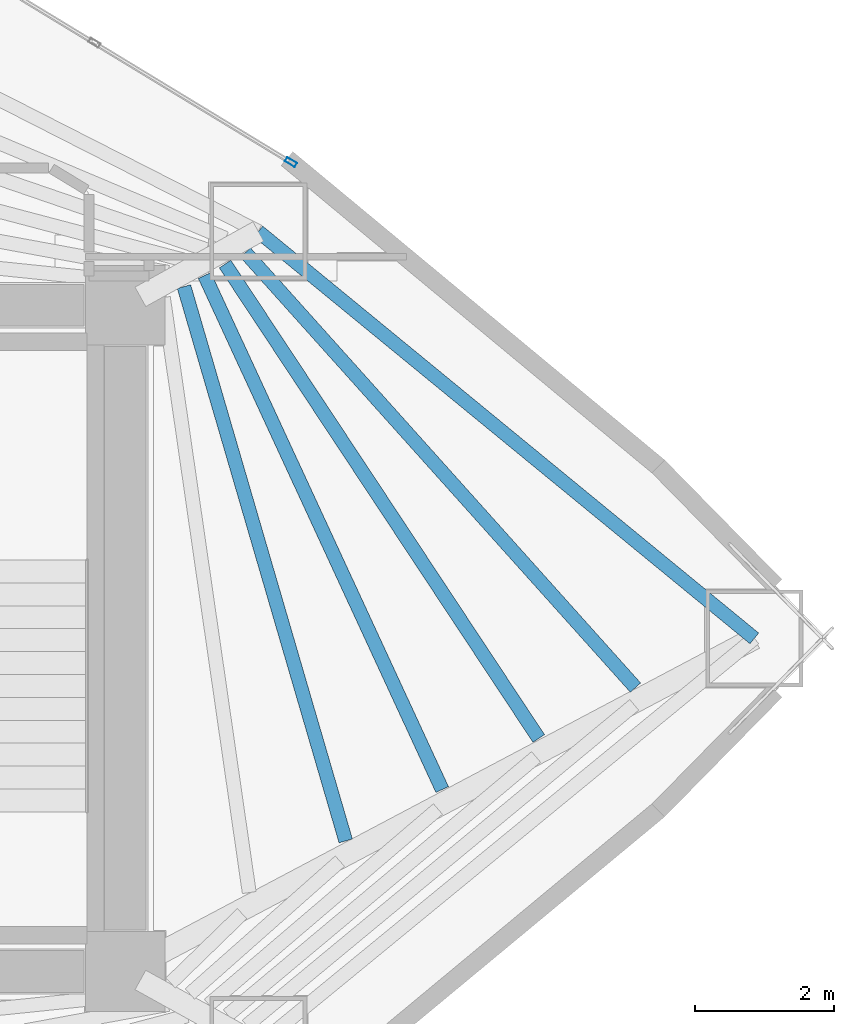
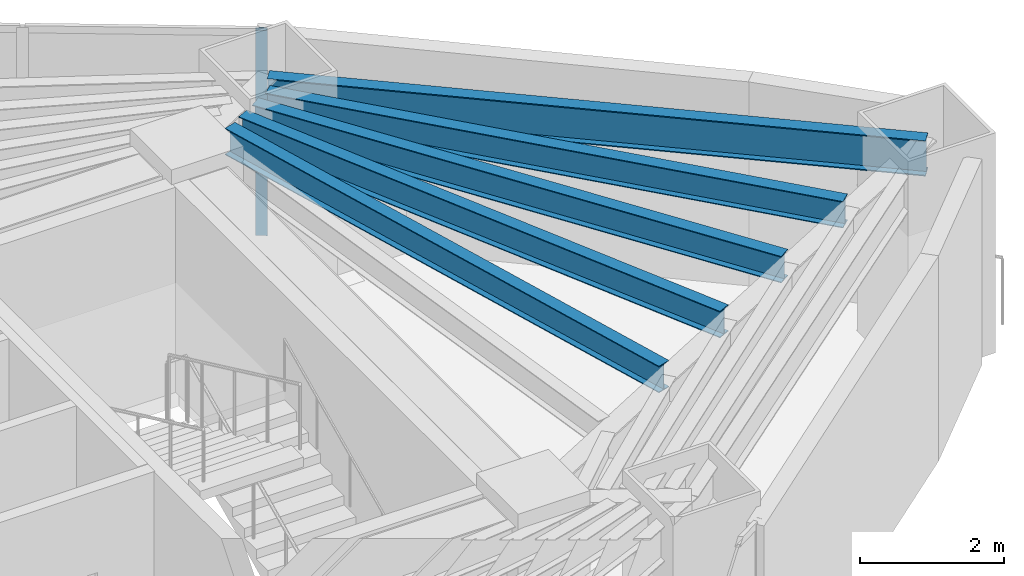
# One storey, part 11 of 17: 5 beams, 1 member, 1 element without a shape of its own.
"""IFC4 building model written with IfcOpenShell, lengths in metres."""

from ifc_helpers import new_model, si_unit, direction, frame, origin, origin_2d, place, context, subcontext, project, spatial, hollow_rectangle, i_section, extrude, material, layer, layer_set, material_profile, profile_set, type_object, element, aggregate, save


model = new_model("IFC4")

# Units and contexts
model_context = context("Model", 3, precision=1e-05, world=origin(), true_north=direction((0.0, 1.0)))
body_context = subcontext(model_context, "Body", "Model", "MODEL_VIEW")
ifc_project = project(units=[si_unit("LENGTHUNIT", "METRE"), si_unit("AREAUNIT", "SQUARE_METRE"), si_unit("VOLUMEUNIT", "CUBIC_METRE"), si_unit("PLANEANGLEUNIT", "RADIAN"), si_unit("MASSUNIT", "GRAM", prefix="KILO")], contexts=[model_context])

# Site, building, storey
site_placement = place(None, origin())
site = spatial("IfcSite", under=ifc_project, at=site_placement, CompositionType="ELEMENT")
building_placement = place(site_placement, origin())
building = spatial("IfcBuilding", under=site, at=building_placement, Name="Menara Vayukalpa", CompositionType="ELEMENT")
storey_placement = place(building_placement, frame((0.0, 0.0, 42.47998046875)))
storey = spatial("IfcBuildingStorey", under=building, at=storey_placement, Name="L09", CompositionType="ELEMENT", Elevation=42.47998046875)

# Beams
ifc_material_1 = material(Name="Steel S355", Category="steel")
ifc_material_profile_1 = material_profile(ifc_material_1, i_section(OverallWidth=0.199951171875, OverallDepth=0.449951171875, WebThickness=0.009033203125, FlangeThickness=0.013916015625, at=origin_2d()), Name="WF 450x200x9x14")
ifc_profile_set_1 = profile_set([ifc_material_profile_1], Name="Steel S355")
beam_type_1 = type_object("IfcBeamType", Name="BM-SJ1", PredefinedType="JOIST", material=ifc_profile_set_1)
beam_1_placement = place(storey_placement, frame((36.577392578125, 19.08203125, 3.2451171875), z_axis=(-0.280127331343, 0.959962852528, 0.0), x_axis=(-0.959962852528, -0.280127331343, 0.0)))
element("IfcBeam", 1, at=beam_1_placement, inside=storey, type_object=beam_type_1, Name="L09 Secondary Floor Joist SJ01-2", PredefinedType="JOIST", context=body_context, shape_type="SweptSolid", body=[
    extrude(i_section(OverallWidth=0.199951171875, OverallDepth=0.449951171875, WebThickness=0.009033203125, FlangeThickness=0.013916015625, at=origin_2d()), origin(), (0.0, 0.0, 1.0), 8.319580078125),
])
beam_2_placement = place(storey_placement, frame((37.96728515625, 19.822021484375, 3.2451171875), z_axis=(-0.419547647921, 0.907733314979, 0.0), x_axis=(-0.907733314979, -0.419547647921, 0.0)))
element("IfcBeam", 2, at=beam_2_placement, inside=storey, type_object=beam_type_1, Name="L09 Secondary Floor Joist SJ01-3", PredefinedType="JOIST", context=body_context, shape_type="SweptSolid", body=[
    extrude(i_section(OverallWidth=0.199951171875, OverallDepth=0.449951171875, WebThickness=0.009033203125, FlangeThickness=0.013916015625, at=origin_2d()), origin(), (0.0, 0.0, 1.0), 8.15966796875),
])
beam_3_placement = place(storey_placement, frame((39.358642578125, 20.557861328125, 3.2451171875), z_axis=(-0.551519467329, 0.834162020927, 0.0), x_axis=(-0.834162020927, -0.551519467329, 0.0)))
element("IfcBeam", 3, at=beam_3_placement, inside=storey, type_object=beam_type_1, Name="L09 Secondary Floor Joist SJ01-4", PredefinedType="JOIST", context=body_context, shape_type="SweptSolid", body=[
    extrude(i_section(OverallWidth=0.199951171875, OverallDepth=0.449951171875, WebThickness=0.009033203125, FlangeThickness=0.013916015625, at=origin_2d()), origin(), (0.0, 0.0, 1.0), 8.19384765625),
])
beam_4_placement = place(storey_placement, frame((40.752685546875, 21.291015625, 3.2451171875), z_axis=(-0.667563308959, 0.744553039435, 0.0), x_axis=(-0.744553039435, -0.667563308959, 0.0)))
element("IfcBeam", 4, at=beam_4_placement, inside=storey, type_object=beam_type_1, Name="L09 Secondary Floor Joist SJ01-5", PredefinedType="JOIST", context=body_context, shape_type="SweptSolid", body=[
    extrude(i_section(OverallWidth=0.199951171875, OverallDepth=0.449951171875, WebThickness=0.009033203125, FlangeThickness=0.013916015625, at=origin_2d()), origin(), (0.0, 0.0, 1.0), 8.419189453125),
])
ifc_material_2 = material(Name="Steel S355", Category="steel")
ifc_material_profile_2 = material_profile(ifc_material_2, i_section(OverallWidth=0.199951171875, OverallDepth=0.60009765625, WebThickness=0.010986328125, FlangeThickness=0.01708984375, at=origin_2d()), Name="WF 600x200x11x17")
ifc_profile_set_2 = profile_set([ifc_material_profile_2], Name="Steel S355")
beam_type_2 = type_object("IfcBeamType", Name="BM-SP1", PredefinedType="SPANDREL", material=ifc_profile_set_2)
beam_5_placement = place(storey_placement, frame((42.46484375, 22.0, 3.169921875), z_axis=(-0.773110561587, 0.63427128231, 0.0), x_axis=(-0.63427128231, -0.773110561587, 0.0)))
element("IfcBeam", 5, at=beam_5_placement, inside=storey, type_object=beam_type_2, Name="L09 Perimeter Spandrel Beam SP01", PredefinedType="SPANDREL", context=body_context, shape_type="SweptSolid", body=[
    extrude(i_section(OverallWidth=0.199951171875, OverallDepth=0.60009765625, WebThickness=0.010986328125, FlangeThickness=0.01708984375, at=origin_2d()), origin(), (0.0, 0.0, 1.0), 9.244140625),
])

# Curtain wall, member
ifc_material_3 = material(Name="Anodised Terracotta Aluminium Alloy 6063-T6", Category="masonry")
ifc_layer = layer(ifc_material_3, 0.1650390625)
ifc_layer_set = layer_set([ifc_layer], Name="Anodised Terracotta Aluminium Alloy 6063-T6")
curtain_wall_type = type_object("IfcCurtainWallType", Name="CW-CW2", PredefinedType="USERDEFINED", material=ifc_layer_set)
curtain_wall_placement = place(storey_placement, origin())
curtain_wall = element("IfcCurtainWall", 6, at=curtain_wall_placement, inside=storey, type_object=curtain_wall_type, Name="L09 Low Rise Terracotta Ribbon Curtain Wall CW2 04", ObjectType="UNITISED", PredefinedType="USERDEFINED")
ifc_material_4 = material(Name="Anodised Terracotta Aluminium Alloy 6063-T6", Category="masonry")
ifc_material_profile_3 = material_profile(ifc_material_4, hollow_rectangle(XDim=0.070068359375, YDim=0.1650390625, WallThickness=0.00390625, at=origin_2d()), Name="ALU 70x165x4")
ifc_profile_set_3 = profile_set([ifc_material_profile_3], Name="Anodised Terracotta Aluminium Alloy 6063-T6")
member_type = type_object("IfcMemberType", Name="CWM-CW2", PredefinedType="MULLION", material=ifc_profile_set_3)
member_placement = place(storey_placement, frame((35.787353515625, 28.861572265625, 0.0), z_axis=(0.0, 0.0, 1.0), x_axis=(-0.519181964377, -0.854663727945, 0.0)))
member = element("IfcMember", 7, at=member_placement, type_object=member_type, Name="CW2 mullion 1", PredefinedType="MULLION", context=body_context, shape_type="SweptSolid", body=[
    extrude(hollow_rectangle(XDim=0.070068359375, YDim=0.1650390625, WallThickness=0.00390625, at=origin_2d()), origin(), (0.0, 0.0, 1.0), 3.469970703125),
])
aggregate(curtain_wall, [member])

save(model, "model.ifc")
